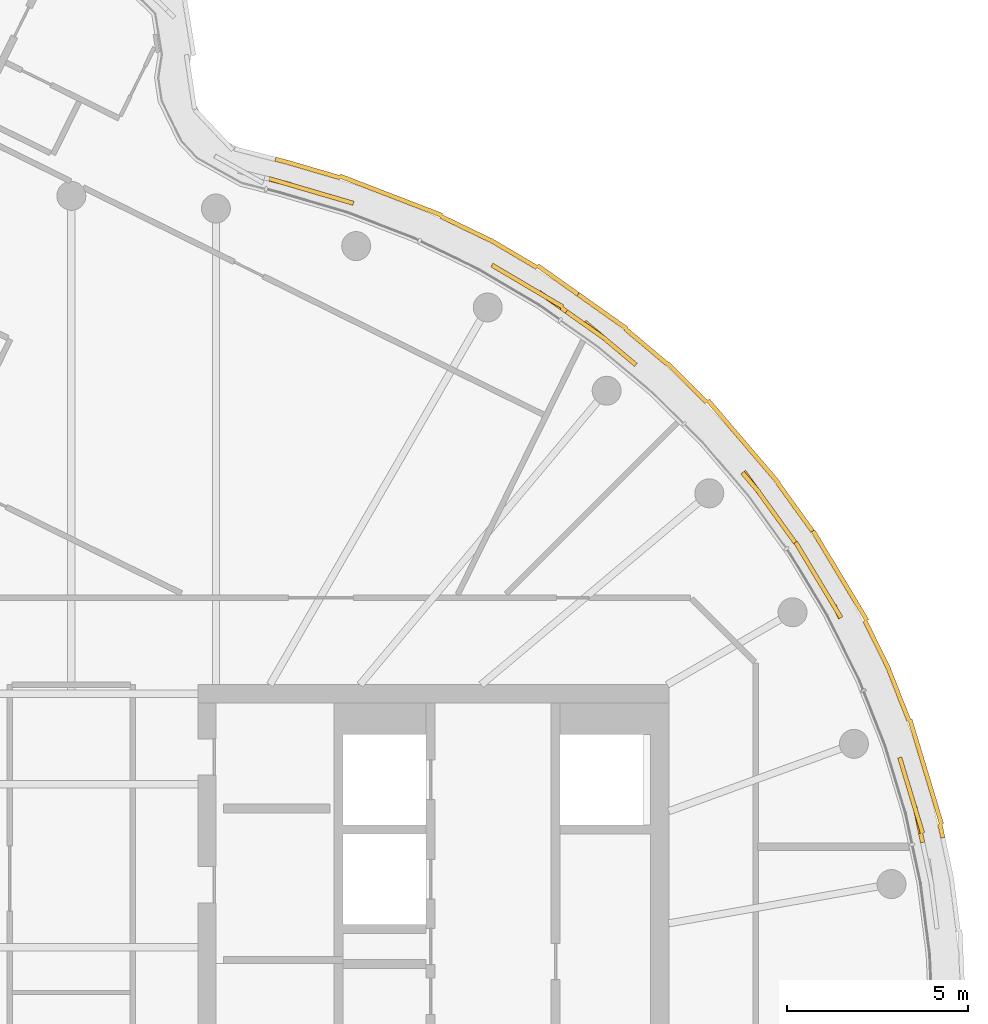
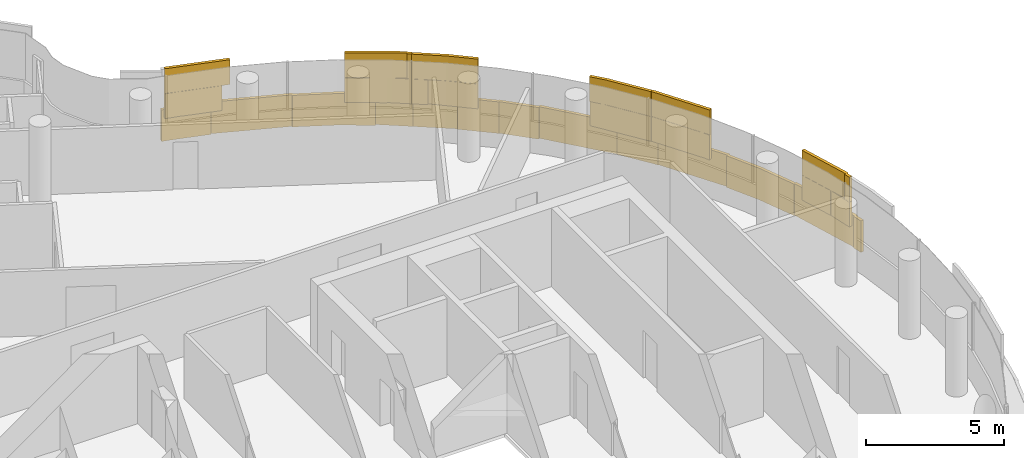
# One storey, part 20 of 21: 3 coverings.
"""IFC4 building model written with IfcOpenShell, lengths in metres."""

from ifc_helpers import new_model, si_unit, direction, frame, origin, origin_2d, place, context, subcontext, project, spatial, rectangle, extrude, material, layer, layer_set, type_object, element, save


model = new_model("IFC4")

# Units and contexts
model_context = context("Model", 3, precision=1e-05, world=origin(), true_north=direction((0.0, 1.0)))
body_context = subcontext(model_context, "Body", "Model", "MODEL_VIEW")
ifc_project = project(units=[si_unit("LENGTHUNIT", "METRE"), si_unit("AREAUNIT", "SQUARE_METRE"), si_unit("VOLUMEUNIT", "CUBIC_METRE"), si_unit("PLANEANGLEUNIT", "RADIAN"), si_unit("MASSUNIT", "GRAM", prefix="KILO")], contexts=[model_context])

# Site, building, storey
site_placement = place(None, origin())
site = spatial("IfcSite", under=ifc_project, at=site_placement, CompositionType="ELEMENT")
building_placement = place(site_placement, origin())
building = spatial("IfcBuilding", under=site, at=building_placement, Name="Tamarind Cross Interchange Tower", CompositionType="ELEMENT")
storey_placement = place(building_placement, frame((0.0, 0.0, 264.0)))
storey = spatial("IfcBuildingStorey", under=building, at=storey_placement, Name="L67", CompositionType="ELEMENT", Elevation=264.0)

# Coverings
ifc_material = material(Name="Terracotta", Category="masonry")
ifc_layer = layer(ifc_material, 0.1201171875)
ifc_layer_set = layer_set([ifc_layer], Name="Terracotta")
covering_type = type_object("IfcCoveringType", Name="Terracotta baguette screen unit", PredefinedType="MOLDING", material=ifc_layer_set)
covering_1_placement = place(storey_placement, origin())
element("IfcCovering", 1, at=covering_1_placement, inside=storey, type_object=covering_type, Name="SCR-L67-01-12", PredefinedType="MOLDING", context=body_context, shape_type="SweptSolid", body=[
    extrude(rectangle(XDim=1.01025390625, YDim=0.1201171875, at=origin_2d()), frame((23.403564453125, 5.638671875, 1.40380859375), z_axis=(0.0, 0.0, 1.0), x_axis=(-0.209425419705, 0.977824623121, 0.0)), (0.0, 0.0, 1.0), 1.092041015625),
    extrude(rectangle(XDim=1.430908203125, YDim=0.1201171875, at=origin_2d()), frame((23.083740234375, 6.805419921875, 1.40380859375), z_axis=(0.0, 0.0, 1.0), x_axis=(-0.289458243079, 0.957190642199, 0.0)), (0.0, 0.0, 1.0), 1.092041015625),
    extrude(rectangle(XDim=0.388916015625, YDim=0.1201171875, at=origin_2d()), frame((21.1533203125, 11.514892578125, 1.40380859375), z_axis=(0.0, 0.0, 1.0), x_axis=(-0.443058811505, 0.896492548518, 0.0)), (0.0, 0.0, 1.0), 1.092041015625),
    extrude(rectangle(XDim=1.52001953125, YDim=0.1201171875, at=origin_2d()), frame((20.672119140625, 12.321533203125, 1.40380859375), z_axis=(0.0, 0.0, 1.0), x_axis=(-0.515577308909, 0.856843065292, 0.0)), (0.0, 0.0, 1.0), 1.092041015625),
    extrude(rectangle(XDim=0.55224609375, YDim=0.1201171875, at=origin_2d()), frame((20.1455078125, 13.196533203125, 1.40380859375), z_axis=(0.0, 0.0, 1.0), x_axis=(-0.515577308909, 0.856843065292, 0.0)), (0.0, 0.0, 1.0), 1.092041015625),
    extrude(rectangle(XDim=0.26025390625, YDim=0.1201171875, at=origin_2d()), frame((23.482177734375, 5.27197265625, 2.50390625), z_axis=(0.0, 0.0, 1.0), x_axis=(-0.209425419705, 0.977824623121, 0.0)), (0.0, 0.0, 1.0), 1.092041015625),
    extrude(rectangle(XDim=1.52001953125, YDim=0.1201171875, at=origin_2d()), frame((23.28955078125, 6.125244140625, 2.50390625), z_axis=(0.0, 0.0, 1.0), x_axis=(-0.289458243079, 0.957190642199, 0.0)), (0.0, 0.0, 1.0), 1.092041015625),
    extrude(rectangle(XDim=0.680908203125, YDim=0.1201171875, at=origin_2d()), frame((22.975341796875, 7.164306640625, 2.50390625), z_axis=(0.0, 0.0, 1.0), x_axis=(-0.289458243079, 0.957190642199, 0.0)), (0.0, 0.0, 1.0), 1.092041015625),
    extrude(rectangle(XDim=1.138916015625, YDim=0.1201171875, at=origin_2d()), frame((20.963134765625, 11.837890625, 2.50390625), z_axis=(0.0, 0.0, 1.0), x_axis=(-0.515577308909, 0.856843065292, 0.0)), (0.0, 0.0, 1.0), 1.092041015625),
    extrude(rectangle(XDim=1.30224609375, YDim=0.1201171875, at=origin_2d()), frame((20.3388671875, 12.875244140625, 2.50390625), z_axis=(0.0, 0.0, 1.0), x_axis=(-0.515577308909, 0.856843065292, 0.0)), (0.0, 0.0, 1.0), 1.092041015625),
    extrude(rectangle(XDim=0.391357421875, YDim=0.1201171875, at=origin_2d()), frame((24.028076171875, 5.463623046875, 0.00390625), z_axis=(0.0, 0.0, 1.0), x_axis=(-0.209425419705, 0.977824623121, 0.0)), (0.0, 0.0, 1.0), 1.39208984375),
    extrude(rectangle(XDim=1.52001953125, YDim=0.1201171875, at=origin_2d()), frame((23.81396484375, 6.373779296875, 0.00390625), z_axis=(0.0, 0.0, 1.0), x_axis=(-0.289458243079, 0.957190642199, 0.0)), (0.0, 0.0, 1.0), 1.39208984375),
    extrude(rectangle(XDim=1.52001953125, YDim=0.1201171875, at=origin_2d()), frame((23.379638671875, 7.8095703125, 0.00390625), z_axis=(0.0, 0.0, 1.0), x_axis=(-0.289458243079, 0.957190642199, 0.0)), (0.0, 0.0, 1.0), 1.39208984375),
    extrude(rectangle(XDim=1.52001953125, YDim=0.1201171875, at=origin_2d()), frame((22.852783203125, 9.213134765625, 0.00390625), z_axis=(0.0, 0.0, 1.0), x_axis=(-0.367513773146, 0.930018078613, 0.0)), (0.0, 0.0, 1.0), 1.39208984375),
    extrude(rectangle(XDim=1.52001953125, YDim=0.1201171875, at=origin_2d()), frame((22.25244140625, 10.58642578125, 0.00390625), z_axis=(0.0, 0.0, 1.0), x_axis=(-0.443058811505, 0.896492548518, 0.0)), (0.0, 0.0, 1.0), 1.39208984375),
    extrude(rectangle(XDim=1.52001953125, YDim=0.1201171875, at=origin_2d()), frame((21.57958984375, 11.9267578125, 0.00390625), z_axis=(0.0, 0.0, 1.0), x_axis=(-0.515577308909, 0.856843065292, 0.0)), (0.0, 0.0, 1.0), 1.39208984375),
    extrude(rectangle(XDim=1.386962890625, YDim=0.1201171875, at=origin_2d()), frame((20.840576171875, 13.155029296875, 0.00390625), z_axis=(0.0, 0.0, 1.0), x_axis=(-0.515577308909, 0.856843065292, 0.0)), (0.0, 0.0, 1.0), 1.39208984375),
])
covering_2_placement = place(storey_placement, origin())
element("IfcCovering", 2, at=covering_2_placement, inside=storey, type_object=covering_type, Name="SCR-L67-01-13", PredefinedType="MOLDING", context=body_context, shape_type="SweptSolid", body=[
    extrude(rectangle(XDim=0.967529296875, YDim=0.1201171875, at=origin_2d()), frame((19.71240234375, 13.808349609375, 1.40380859375), z_axis=(0.0, 0.0, 1.0), x_axis=(-0.584573890505, 0.811340475102, 0.0)), (0.0, 0.0, 1.0), 1.092041015625),
    extrude(rectangle(XDim=1.473876953125, YDim=0.1201171875, at=origin_2d()), frame((19.00439453125, 14.790771484375, 1.40380859375), z_axis=(0.0, 0.0, 1.0), x_axis=(-0.584573890505, 0.811340475102, 0.0)), (0.0, 0.0, 1.0), 1.092041015625),
    extrude(rectangle(XDim=0.345947265625, YDim=0.1201171875, at=origin_2d()), frame((15.4599609375, 18.44287109375, 1.40380859375), z_axis=(0.0, 0.0, 1.0), x_axis=(-0.765858396687, 0.643009266048, 0.0)), (0.0, 0.0, 1.0), 1.092041015625),
    extrude(rectangle(XDim=1.52001953125, YDim=0.1201171875, at=origin_2d()), frame((14.7568359375, 19.032958984375, 1.40380859375), z_axis=(0.0, 0.0, 1.0), x_axis=(-0.765858396687, 0.643009266048, 0.0)), (0.0, 0.0, 1.0), 1.092041015625),
    extrude(rectangle(XDim=0.595703125, YDim=0.1201171875, at=origin_2d()), frame((13.90869140625, 19.63916015625, 1.40380859375), z_axis=(0.0, 0.0, 1.0), x_axis=(-0.816341886298, 0.577568978284, 0.0)), (0.0, 0.0, 1.0), 1.092041015625),
    extrude(rectangle(XDim=0.217529296875, YDim=0.1201171875, at=origin_2d()), frame((19.931640625, 13.504150390625, 2.50390625), z_axis=(0.0, 0.0, 1.0), x_axis=(-0.584573890505, 0.811340475102, 0.0)), (0.0, 0.0, 1.0), 1.092041015625),
    extrude(rectangle(XDim=1.52001953125, YDim=0.1201171875, at=origin_2d()), frame((19.432373046875, 14.197021484375, 2.50390625), z_axis=(0.0, 0.0, 1.0), x_axis=(-0.584573890505, 0.811340475102, 0.0)), (0.0, 0.0, 1.0), 1.092041015625),
    extrude(rectangle(XDim=0.723876953125, YDim=0.1201171875, at=origin_2d()), frame((18.767822265625, 15.081298828125, 2.50390625), z_axis=(0.0, 0.0, 1.0), x_axis=(-0.64957723968, 0.760295606781, 0.0)), (0.0, 0.0, 1.0), 1.092041015625),
    extrude(rectangle(XDim=1.095947265625, YDim=0.1201171875, at=origin_2d()), frame((15.1728515625, 18.683837890625, 2.50390625), z_axis=(0.0, 0.0, 1.0), x_axis=(-0.765858396687, 0.643009266048, 0.0)), (0.0, 0.0, 1.0), 1.092041015625),
    extrude(rectangle(XDim=1.345703125, YDim=0.1201171875, at=origin_2d()), frame((14.214599609375, 19.422607421875, 2.50390625), z_axis=(0.0, 0.0, 1.0), x_axis=(-0.816341886298, 0.577568978284, 0.0)), (0.0, 0.0, 1.0), 1.092041015625),
    extrude(rectangle(XDim=0.133056640625, YDim=0.1201171875, at=origin_2d()), frame((20.43017578125, 13.7939453125, 0.00390625), z_axis=(0.0, 0.0, 1.0), x_axis=(-0.584573890505, 0.811340475102, 0.0)), (0.0, 0.0, 1.0), 1.39208984375),
    extrude(rectangle(XDim=1.52001953125, YDim=0.1201171875, at=origin_2d()), frame((19.958740234375, 14.4482421875, 0.00390625), z_axis=(0.0, 0.0, 1.0), x_axis=(-0.584573890505, 0.811340475102, 0.0)), (0.0, 0.0, 1.0), 1.39208984375),
    extrude(rectangle(XDim=1.52001953125, YDim=0.1201171875, at=origin_2d()), frame((19.047119140625, 15.637939453125, 0.00390625), z_axis=(0.0, 0.0, 1.0), x_axis=(-0.64957723968, 0.760295606781, 0.0)), (0.0, 0.0, 1.0), 1.39208984375),
    extrude(rectangle(XDim=1.52001953125, YDim=0.1201171875, at=origin_2d()), frame((18.07275390625, 16.7783203125, 0.00390625), z_axis=(0.0, 0.0, 1.0), x_axis=(-0.64957723968, 0.760295606781, 0.0)), (0.0, 0.0, 1.0), 1.39208984375),
    extrude(rectangle(XDim=1.52001953125, YDim=0.1201171875, at=origin_2d()), frame((17.007568359375, 17.834716796875, 0.00390625), z_axis=(0.0, 0.0, 1.0), x_axis=(-0.710143317658, 0.704057148523, 0.0)), (0.0, 0.0, 1.0), 1.39208984375),
    extrude(rectangle(XDim=1.52001953125, YDim=0.1201171875, at=origin_2d()), frame((15.888916015625, 18.83203125, 0.00390625), z_axis=(0.0, 0.0, 1.0), x_axis=(-0.765858396687, 0.643009266048, 0.0)), (0.0, 0.0, 1.0), 1.39208984375),
    extrude(rectangle(XDim=1.52001953125, YDim=0.1201171875, at=origin_2d()), frame((14.71875, 19.76904296875, 0.00390625), z_axis=(0.0, 0.0, 1.0), x_axis=(-0.816341886298, 0.577568978284, 0.0)), (0.0, 0.0, 1.0), 1.39208984375),
    extrude(rectangle(XDim=0.14599609375, YDim=0.1201171875, at=origin_2d()), frame((14.05517578125, 20.238525390625, 0.00390625), z_axis=(0.0, 0.0, 1.0), x_axis=(-0.816341886298, 0.577568978284, 0.0)), (0.0, 0.0, 1.0), 1.39208984375),
])
covering_3_placement = place(storey_placement, origin())
element("IfcCovering", 3, at=covering_3_placement, inside=storey, type_object=covering_type, Name="SCR-L67-01-14", PredefinedType="MOLDING", context=body_context, shape_type="SweptSolid", body=[
    extrude(rectangle(XDim=0.92431640625, YDim=0.1201171875, at=origin_2d()), frame((13.29638671875, 20.072265625, 1.40380859375), z_axis=(0.0, 0.0, 1.0), x_axis=(-0.816341886298, 0.577568978284, 0.0)), (0.0, 0.0, 1.0), 1.092041015625),
    extrude(rectangle(XDim=1.52001953125, YDim=0.1201171875, at=origin_2d()), frame((12.26806640625, 20.70361328125, 1.40380859375), z_axis=(0.0, 0.0, 1.0), x_axis=(-0.861248933065, 0.508183308752, 0.0)), (0.0, 0.0, 1.0), 1.092041015625),
    extrude(rectangle(XDim=1.52001953125, YDim=0.1201171875, at=origin_2d()), frame((6.783447265625, 23.089599609375, 1.40380859375), z_axis=(0.0, 0.0, 1.0), x_axis=(-0.95964657186, 0.281208920763, 0.0)), (0.0, 0.0, 1.0), 1.092041015625),
    extrude(rectangle(XDim=0.631591796875, YDim=0.1201171875, at=origin_2d()), frame((5.76513671875, 23.38623046875, 1.40380859375), z_axis=(0.0, 0.0, 1.0), x_axis=(-0.968905398163, 0.247431464068, 0.0)), (0.0, 0.0, 1.0), 1.092041015625),
    extrude(rectangle(XDim=0.17431640625, YDim=0.1201171875, at=origin_2d()), frame((13.6025390625, 19.855712890625, 2.50390625), z_axis=(0.0, 0.0, 1.0), x_axis=(-0.816341886298, 0.577568978284, 0.0)), (0.0, 0.0, 1.0), 1.092041015625),
    extrude(rectangle(XDim=1.52001953125, YDim=0.1201171875, at=origin_2d()), frame((12.9140625, 20.322509765625, 2.50390625), z_axis=(0.0, 0.0, 1.0), x_axis=(-0.861248933065, 0.508183308752, 0.0)), (0.0, 0.0, 1.0), 1.092041015625),
    extrude(rectangle(XDim=0.763671875, YDim=0.1201171875, at=origin_2d()), frame((11.943603515625, 20.89501953125, 2.50390625), z_axis=(0.0, 0.0, 1.0), x_axis=(-0.861248933065, 0.508183308752, 0.0)), (0.0, 0.0, 1.0), 1.092041015625),
    extrude(rectangle(XDim=1.056396484375, YDim=0.1201171875, at=origin_2d()), frame((7.28564453125, 22.9423828125, 2.50390625), z_axis=(0.0, 0.0, 1.0), x_axis=(-0.95964657186, 0.281208920763, 0.0)), (0.0, 0.0, 1.0), 1.092041015625),
    extrude(rectangle(XDim=1.381591796875, YDim=0.1201171875, at=origin_2d()), frame((6.12548828125, 23.282470703125, 2.50390625), z_axis=(0.0, 0.0, 1.0), x_axis=(-0.95964657186, 0.281208920763, 0.0)), (0.0, 0.0, 1.0), 1.092041015625),
    extrude(rectangle(XDim=1.3740234375, YDim=0.1201171875, at=origin_2d()), frame((13.434814453125, 20.677490234375, 0.00390625), z_axis=(0.0, 0.0, 1.0), x_axis=(-0.816341886298, 0.577568978284, 0.0)), (0.0, 0.0, 1.0), 1.39208984375),
    extrude(rectangle(XDim=1.52001953125, YDim=0.1201171875, at=origin_2d()), frame((12.207763671875, 21.40576171875, 0.00390625), z_axis=(0.0, 0.0, 1.0), x_axis=(-0.861248933065, 0.508183308752, 0.0)), (0.0, 0.0, 1.0), 1.39208984375),
    extrude(rectangle(XDim=1.52001953125, YDim=0.1201171875, at=origin_2d()), frame((10.8828125, 22.1064453125, 0.00390625), z_axis=(0.0, 0.0, 1.0), x_axis=(-0.900272776334, 0.435326231914, 0.0)), (0.0, 0.0, 1.0), 1.39208984375),
    extrude(rectangle(XDim=1.52001953125, YDim=0.1201171875, at=origin_2d()), frame((9.5224609375, 22.736083984375, 0.00390625), z_axis=(0.0, 0.0, 1.0), x_axis=(-0.933146843667, 0.359495435512, 0.0)), (0.0, 0.0, 1.0), 1.39208984375),
    extrude(rectangle(XDim=1.52001953125, YDim=0.1201171875, at=origin_2d()), frame((8.12255859375, 23.275390625, 0.00390625), z_axis=(0.0, 0.0, 1.0), x_axis=(-0.933146843667, 0.359495435512, 0.0)), (0.0, 0.0, 1.0), 1.39208984375),
    extrude(rectangle(XDim=1.52001953125, YDim=0.1201171875, at=origin_2d()), frame((6.689208984375, 23.71533203125, 0.00390625), z_axis=(0.0, 0.0, 1.0), x_axis=(-0.95964657186, 0.281208920763, 0.0)), (0.0, 0.0, 1.0), 1.39208984375),
    extrude(rectangle(XDim=0.3525390625, YDim=0.1201171875, at=origin_2d()), frame((5.80859375, 23.967529296875, 0.00390625), z_axis=(0.0, 0.0, 1.0), x_axis=(-0.968905398163, 0.247431464068, 0.0)), (0.0, 0.0, 1.0), 1.39208984375),
])

save(model, "model.ifc")
